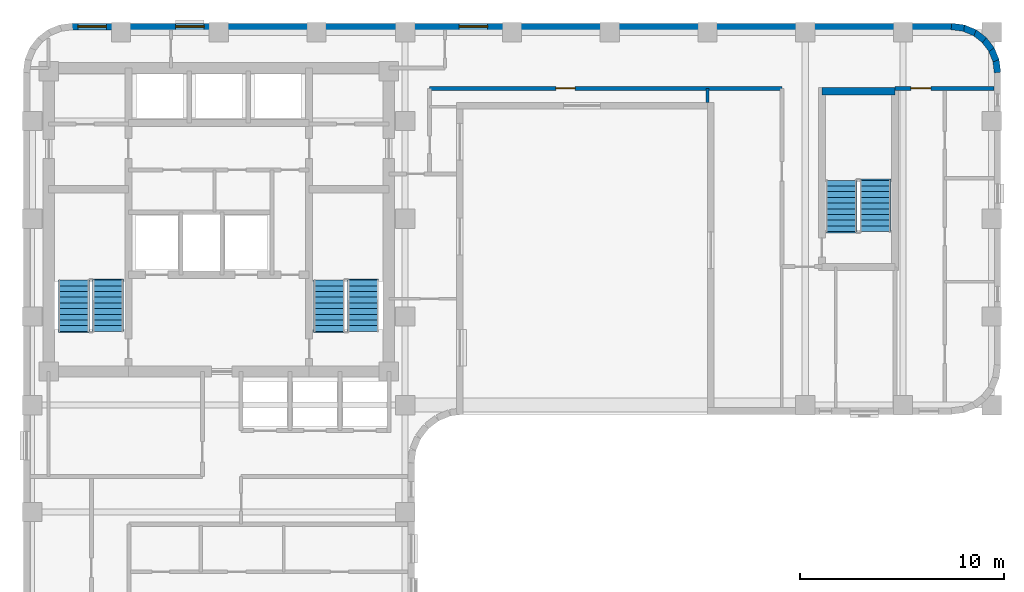
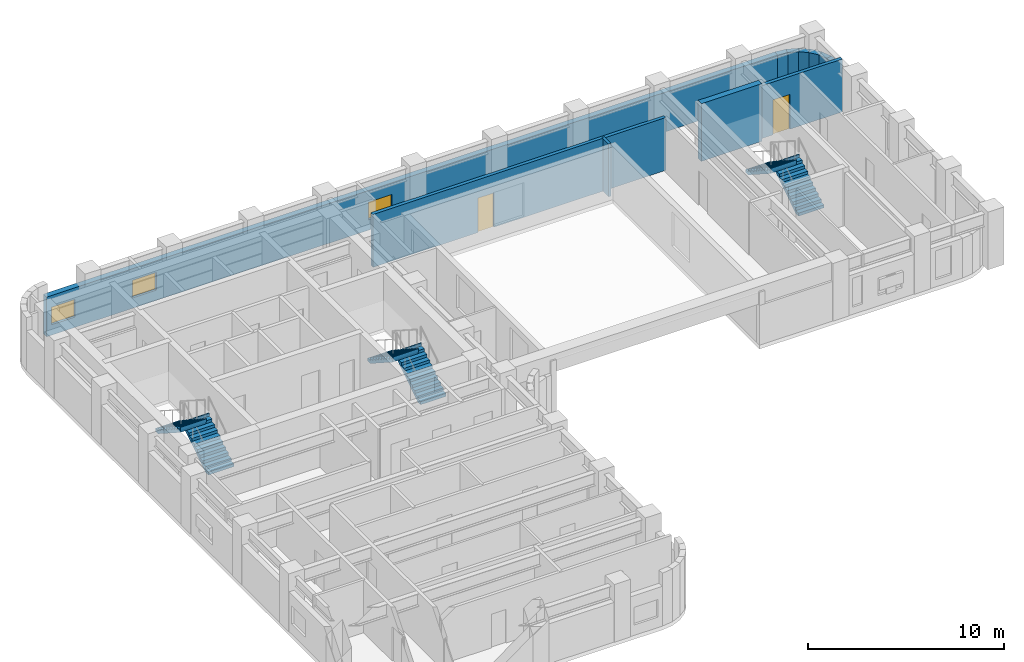
# One storey, part 6 of 9: 11 walls, 6 stair flights, 3 windows, 2 doors, 5 openings, 3 elements without a shape of their own.
"""IFC4 building model written with IfcOpenShell, lengths in metres."""

from ifc_helpers import new_model, si_unit, direction, frame, frame_2d, origin, place, context, subcontext, project, spatial, polyline, rectangle, outline, extrude, material, layer, layer_set, type_object, element, fill, aggregate, save


model = new_model("IFC4")

# Units and contexts
model_context = context("Model", 3, precision=1e-05, world=origin(), true_north=direction((0.0, 1.0)))
body_context = subcontext(model_context, "Body", "Model", "MODEL_VIEW")
ifc_project = project(units=[si_unit("LENGTHUNIT", "METRE"), si_unit("AREAUNIT", "SQUARE_METRE"), si_unit("VOLUMEUNIT", "CUBIC_METRE"), si_unit("PLANEANGLEUNIT", "RADIAN"), si_unit("MASSUNIT", "GRAM", prefix="KILO")], contexts=[model_context])

# Site, building, storey
site_placement = place(None, origin())
site = spatial("IfcSite", under=ifc_project, at=site_placement, CompositionType="ELEMENT")
building_placement = place(site_placement, origin())
building = spatial("IfcBuilding", under=site, at=building_placement, Name="Orvandelia Arch Residences", CompositionType="ELEMENT")
storey_placement = place(building_placement, frame((0.0, 0.0, 190.0)))
storey = spatial("IfcBuildingStorey", under=building, at=storey_placement, Name="L50", CompositionType="ELEMENT", Elevation=190.0)

# Wall
ifc_material_1 = material(Name="Concrete C50/60", Category="concrete")
ifc_layer_1 = layer(ifc_material_1, 0.35009765625, Name="Concrete C50/60", Category="concrete")
ifc_layer_set_1 = layer_set([ifc_layer_1], Name="Concrete C50/60")
wall_type_1 = type_object("IfcWallType", Name="WL-CORE-350", PredefinedType="SHEAR", material=ifc_layer_set_1)
wall_1_placement = place(storey_placement, frame((44.02001953125, 44.659912109375, 0.0), z_axis=(0.0, 0.0, 1.0), x_axis=(1.0, 0.0, 0.0)))
element("IfcWall", 1, at=wall_1_placement, inside=storey, type_object=wall_type_1, Name="East Stair Core Shear Wall L50-N", PredefinedType="SHEAR", context=body_context, shape_type="SweptSolid", body=[
    extrude(rectangle(XDim=3.580078125, YDim=0.35009765625, at=frame_2d((1.7900390625, 0.0))), origin(), (0.0, 0.0, 1.0), 3.60009765625),
])

# Wall, opening, door
ifc_material_2 = material(Name="Fire-Rated Corridor Partition")
ifc_layer_2 = layer(ifc_material_2, 0.199951171875, Name="Fire-Rated Corridor Partition")
ifc_layer_set_2 = layer_set([ifc_layer_2], Name="Fire-Rated Corridor Partition")
wall_type_2 = type_object("IfcWallType", Name="WL-CORR-200", PredefinedType="PARTITIONING", material=ifc_layer_set_2)
wall_2_placement = place(storey_placement, frame((24.75, 44.800048828125, 0.0), z_axis=(0.0, 0.0, 1.0), x_axis=(1.0, 0.0, 0.0)))
wall_2 = element("IfcWall", 2, at=wall_2_placement, inside=storey, type_object=wall_type_2, Name="Interior Partition Wall WL-L50-ENP-S1", PredefinedType="PARTITIONING", context=body_context, shape_type="SweptSolid", body=[
    extrude(rectangle(XDim=17.300048828125, YDim=0.199951171875, at=frame_2d((8.64990234375, 0.0))), origin(), (0.0, 0.0, 1.0), 3.300048828125),
])
opening_1_placement = place(wall_2_placement, frame((6.199951171875, 0.0, 0.0)))
opening_1 = element("IfcOpeningElement", 3, at=opening_1_placement, cuts=wall_2, Name="Opening D2", PredefinedType="OPENING", context=body_context, shape_type="SweptSolid", body=[
    extrude(rectangle(XDim=0.949951171875, YDim=2.14990234375, at=frame_2d((0.47509765625, 1.074951171875))), frame((0.0, 0.10986328125, 0.0), z_axis=(0.0, -1.0, 0.0), x_axis=(1.0, 0.0, 0.0)), (0.0, 0.0, 1.0), 0.219970703125),
])
ifc_material_3 = material(Name="Solid-Core Timber Interior Fire Door", Category="wood")
door_type_1 = type_object("IfcDoorType", Name="DR-APT-950", OperationType="NOTDEFINED", PredefinedType="DOOR", material=ifc_material_3)
door_1_placement = place(opening_1_placement, origin())
door_1 = element("IfcDoor", 4, at=door_1_placement, inside=storey, type_object=door_type_1, Name="DR-L50-VPBRG", OperationType="SINGLE_SWING_LEFT", OverallHeight=2.14990234375, OverallWidth=0.949951171875, PredefinedType="DOOR", context=body_context, shape_type="SweptSolid", body=[
    extrude(rectangle(XDim=0.949951171875, YDim=2.14990234375, at=frame_2d((0.47509765625, 1.074951171875))), frame((0.0, 0.02490234375, 0.0), z_axis=(0.0, -1.0, 0.0), x_axis=(1.0, 0.0, 0.0)), (0.0, 0.0, 1.0), 0.050048828125),
])
fill(opening_1, door_1)

wall_3_placement = place(storey_placement, frame((47.60009765625, 44.800048828125, 0.0), z_axis=(0.0, 0.0, 1.0), x_axis=(1.0, 0.0, 0.0)))
wall_3 = element("IfcWall", 5, at=wall_3_placement, inside=storey, type_object=wall_type_2, Name="Interior Partition Wall WL-L50-ENP-S2", PredefinedType="PARTITIONING", context=body_context, shape_type="SweptSolid", body=[
    extrude(rectangle(XDim=4.8798828125, YDim=0.199951171875, at=frame_2d((2.43994140625, 0.0))), origin(), (0.0, 0.0, 1.0), 3.300048828125),
])
opening_2_placement = place(wall_3_placement, frame((0.79150390625, 0.0, 0.0)))
opening_2 = element("IfcOpeningElement", 6, at=opening_2_placement, cuts=wall_3, Name="Opening D1", PredefinedType="OPENING", context=body_context, shape_type="SweptSolid", body=[
    extrude(rectangle(XDim=0.97998046875, YDim=2.179931640625, at=frame_2d((0.489990234375, 1.08984375))), frame((0.0, 0.10986328125, 0.0), z_axis=(0.0, -1.0, 0.0), x_axis=(1.0, 0.0, 0.0)), (0.0, 0.0, 1.0), 0.219970703125),
])
ifc_material_4 = material(Name="Solid-Core Timber Acoustic Fire Door", Category="wood")
door_type_2 = type_object("IfcDoorType", Name="DR-ENT-980", OperationType="NOTDEFINED", PredefinedType="DOOR", material=ifc_material_4)
door_2_placement = place(opening_2_placement, origin())
door_2 = element("IfcDoor", 7, at=door_2_placement, inside=storey, type_object=door_type_2, Name="Unit L50-03 Entrance Door", OperationType="SINGLE_SWING_LEFT", OverallHeight=2.179931640625, OverallWidth=0.97998046875, PredefinedType="DOOR", context=body_context, shape_type="SweptSolid", body=[
    extrude(rectangle(XDim=0.97998046875, YDim=2.179931640625, at=frame_2d((0.489990234375, 1.08984375))), frame((0.0, 0.02490234375, 0.0), z_axis=(0.0, -1.0, 0.0), x_axis=(1.0, 0.0, 0.0)), (0.0, 0.0, 1.0), 0.050048828125),
])
fill(opening_2, door_2)

# Wall, openings, windows
ifc_material_5 = material(Name="Precast concrete C40/50", Category="concrete")
ifc_layer_3 = layer(ifc_material_5, 0.320068359375, Name="Precast concrete C40/50", Category="concrete")
ifc_layer_set_3 = layer_set([ifc_layer_3], Name="Precast concrete C40/50")
wall_type_3 = type_object("IfcWallType", Name="WL-EXT-STONE-320", PredefinedType="STANDARD", material=ifc_layer_set_3)
wall_4_placement = place(storey_placement, frame((7.199951171875, 47.840087890625, 0.0), z_axis=(0.0, 0.0, 1.0), x_axis=(1.0, 0.0, 0.0)))
wall_4 = element("IfcWall", 8, at=wall_4_placement, inside=storey, type_object=wall_type_3, Name="Coral-Limestone Precast Facade Wall L50-007", PredefinedType="STANDARD", context=body_context, shape_type="SweptSolid", body=[
    extrude(rectangle(XDim=43.199951171875, YDim=0.320068359375, at=frame_2d((21.60009765625, 0.0))), origin(), (0.0, 0.0, 1.0), 2.47998046875),
])
opening_3_placement = place(wall_4_placement, frame((19.00244140625, 0.0, 0.64990234375)))
opening_3 = element("IfcOpeningElement", 9, at=opening_3_placement, cuts=wall_4, Name="Opening W10", PredefinedType="OPENING", context=body_context, shape_type="SweptSolid", body=[
    extrude(rectangle(XDim=1.39990234375, YDim=1.10009765625, at=frame_2d((0.699951171875, 0.550048828125))), frame((0.0, 0.169921875, 0.0), z_axis=(0.0, -1.0, 0.0), x_axis=(1.0, 0.0, 0.0)), (0.0, 0.0, 1.0), 0.340087890625),
])
opening_4_placement = place(wall_4_placement, frame((0.282470703125, 0.0, 0.64990234375)))
opening_4 = element("IfcOpeningElement", 10, at=opening_4_placement, cuts=wall_4, Name="Opening W10", PredefinedType="OPENING", context=body_context, shape_type="SweptSolid", body=[
    extrude(rectangle(XDim=1.39990234375, YDim=1.10009765625, at=frame_2d((0.699951171875, 0.550048828125))), frame((0.0, 0.169921875, 0.0), z_axis=(0.0, -1.0, 0.0), x_axis=(1.0, 0.0, 0.0)), (0.0, 0.0, 1.0), 0.340087890625),
])
opening_5_placement = place(wall_4_placement, frame((5.077392578125, 0.0, 0.64990234375)))
opening_5 = element("IfcOpeningElement", 11, at=opening_5_placement, cuts=wall_4, Name="Opening W10", PredefinedType="OPENING", context=body_context, shape_type="SweptSolid", body=[
    extrude(rectangle(XDim=1.39990234375, YDim=1.10009765625, at=frame_2d((0.699951171875, 0.550048828125))), frame((0.0, 0.169921875, 0.0), z_axis=(0.0, -1.0, 0.0), x_axis=(1.0, 0.0, 0.0)), (0.0, 0.0, 1.0), 0.340087890625),
])
ifc_material_6 = material(Name="Tempered Low-E Insulated Glazing", Category="glass")
window_type = type_object("IfcWindowType", Name="WIN-CLR-1400x1100", PartitioningType="SINGLE_PANEL", PredefinedType="WINDOW", material=ifc_material_6)
window_1_placement = place(opening_3_placement, origin())
window_1 = element("IfcWindow", 12, at=window_1_placement, inside=storey, type_object=window_type, Name="Recessed Punched Window L50-001", OverallHeight=1.10009765625, OverallWidth=1.39990234375, PartitioningType="SINGLE_PANEL", PredefinedType="WINDOW", context=body_context, shape_type="SweptSolid", body=[
    extrude(rectangle(XDim=1.39990234375, YDim=1.10009765625, at=frame_2d((0.699951171875, 0.550048828125))), frame((0.0, 0.030029296875, 0.0), z_axis=(0.0, -1.0, 0.0), x_axis=(1.0, 0.0, 0.0)), (0.0, 0.0, 1.0), 0.06005859375),
])
fill(opening_3, window_1)
window_2_placement = place(opening_4_placement, origin())
window_2 = element("IfcWindow", 13, at=window_2_placement, inside=storey, type_object=window_type, Name="Recessed Punched Window L50-002", OverallHeight=1.10009765625, OverallWidth=1.39990234375, PartitioningType="SINGLE_PANEL", PredefinedType="WINDOW", context=body_context, shape_type="SweptSolid", body=[
    extrude(rectangle(XDim=1.39990234375, YDim=1.10009765625, at=frame_2d((0.699951171875, 0.550048828125))), frame((0.0, 0.030029296875, 0.0), z_axis=(0.0, -1.0, 0.0), x_axis=(1.0, 0.0, 0.0)), (0.0, 0.0, 1.0), 0.06005859375),
])
fill(opening_4, window_2)
window_3_placement = place(opening_5_placement, origin())
window_3 = element("IfcWindow", 14, at=window_3_placement, inside=storey, type_object=window_type, Name="Recessed Punched Window L50-003", OverallHeight=1.10009765625, OverallWidth=1.39990234375, PartitioningType="SINGLE_PANEL", PredefinedType="WINDOW", context=body_context, shape_type="SweptSolid", body=[
    extrude(rectangle(XDim=1.39990234375, YDim=1.10009765625, at=frame_2d((0.699951171875, 0.550048828125))), frame((0.0, 0.030029296875, 0.0), z_axis=(0.0, -1.0, 0.0), x_axis=(1.0, 0.0, 0.0)), (0.0, 0.0, 1.0), 0.06005859375),
])
fill(opening_5, window_3)

# Walls
for number, where, z_axis, x_axis, name in (
    (15, (50.379150390625, 47.84130859375, 0.0), (0.0, 0.0, 1.0), (0.9914410257, -0.130555323746, 0.0), "Coral-Limestone Precast Facade Wall L50-008"),
    (16, (50.9599609375, 47.7705078125, 0.0), (0.0, 0.0, 1.0), (0.92389335771, -0.382650053678, 0.0), "Coral-Limestone Precast Facade Wall L50-009"),
    (17, (51.502685546875, 47.551513671875, 0.0), (0.0, 0.0, 1.0), (0.793405610854, -0.608693302629, 0.0), "Coral-Limestone Precast Facade Wall L50-010"),
    (18, (51.97021484375, 47.19970703125, 0.0), (0.0, 0.0, 1.0), (0.608693302629, -0.793405610854, 0.0), "Coral-Limestone Precast Facade Wall L50-011"),
    (19, (52.330810546875, 46.73876953125, 0.0), (0.0, 0.0, 1.0), (0.382317370307, -0.924031075431, 0.0), "Coral-Limestone Precast Facade Wall L50-012"),
    (20, (52.5595703125, 46.2001953125, 0.0), (0.0, 0.0, 1.0), (0.130555323746, -0.9914410257, 0.0), "Coral-Limestone Precast Facade Wall L50-013"),
):
    element("IfcWall", number, at=place(storey_placement, frame(where, z_axis=z_axis, x_axis=x_axis)), inside=storey, type_object=wall_type_3, Name=name, PredefinedType="STANDARD", context=body_context, shape_type="SweptSolid", body=[
        extrude(rectangle(XDim=0.62646484375, YDim=0.320068359375, at=frame_2d((0.313232421875, 0.0))), origin(), (0.0, 0.0, 1.0), 2.47998046875),
    ])
ifc_material_7 = material(Name="Acoustic Gypsum Stud Partition")
ifc_layer_4 = layer(ifc_material_7, 0.14990234375, Name="Acoustic Gypsum Stud Partition")
ifc_layer_set_4 = layer_set([ifc_layer_4], Name="Acoustic Gypsum Stud Partition")
wall_type_4 = type_object("IfcWallType", Name="WL-PART-150", PredefinedType="PARTITIONING", material=ifc_layer_set_4)
wall_5_placement = place(storey_placement, frame((38.39990234375, 44.1201171875, 0.0), z_axis=(0.0, 0.0, 1.0), x_axis=(0.0, 1.0, 0.0)))
element("IfcWall", 21, at=wall_5_placement, inside=storey, type_object=wall_type_4, Name="Interior Partition Wall WL-L50-VPBRG-E", PredefinedType="PARTITIONING", context=body_context, shape_type="SweptSolid", body=[
    extrude(rectangle(XDim=0.679931640625, YDim=0.14990234375, at=frame_2d((0.33984375, 0.0))), origin(), (0.0, 0.0, 1.0), 3.300048828125),
])

# Stair, stair flights
ifc_material_8 = material(Name="Concrete C40/50", Category="concrete")
stair_type = type_object("IfcStairType", Name="STAIR-RC-DOGLEG", PredefinedType="HALF_TURN_STAIR", material=ifc_material_8)
stair_1_placement = place(storey_placement, origin())
stair_1 = element("IfcStair", 22, at=stair_1_placement, inside=storey, type_object=stair_type, Name="L50 Protected Exit Stair ST-1", PredefinedType="HALF_TURN_STAIR")
stair_flight_type = type_object("IfcStairFlightType", Name="STFLT-RC-1520", PredefinedType="STRAIGHT", material=ifc_material_8)
stair_flight_1_placement = place(storey_placement, frame((8.9599609375, 32.8701171875, 0.0), z_axis=(0.0, 0.0, 1.0), x_axis=(0.0, 1.0, 0.0)))
stair_flight_1 = element("IfcStairFlight", 23, at=stair_flight_1_placement, type_object=stair_flight_type, Name="ST-1 flight 1", NumberOfRisers=10, NumberOfTreads=9, PredefinedType="STRAIGHT", RiserHeight=0.18, TreadLength=0.28, context=body_context, shape_type="SweptSolid", body=[
    extrude(outline(polyline([(0.0, 0.0), (0.0, 0.179931640625), (0.280029296875, 0.179931640625), (0.280029296875, 0.360107421875), (0.56005859375, 0.360107421875), (0.56005859375, 0.5400390625), (0.840087890625, 0.5400390625), (0.840087890625, 0.719970703125), (1.1201171875, 0.719970703125), (1.1201171875, 0.89990234375), (1.39990234375, 0.89990234375), (1.39990234375, 1.080078125), (1.679931640625, 1.080078125), (1.679931640625, 1.260009765625), (1.9599609375, 1.260009765625), (1.9599609375, 1.43994140625), (2.239990234375, 1.43994140625), (2.239990234375, 1.6201171875), (2.52001953125, 1.6201171875), (2.52001953125, 1.800048828125), (2.580078125, 1.800048828125), (2.580078125, 1.6201171875), (2.52001953125, 1.44189453125), (0.277099609375, 0.0), (0.0, 0.0)])), frame((0.0, 0.760009765625, 0.0), z_axis=(0.0, -1.0, 0.0), x_axis=(1.0, 0.0, 0.0)), (0.0, 0.0, 1.0), 1.52001953125),
])
stair_flight_2_placement = place(storey_placement, frame((7.2900390625, 35.389892578125, 1.800048828125), z_axis=(0.0, 0.0, 1.0), x_axis=(0.0, -1.0, 0.0)))
stair_flight_2 = element("IfcStairFlight", 24, at=stair_flight_2_placement, type_object=stair_flight_type, Name="ST-1 flight 2", NumberOfRisers=10, NumberOfTreads=9, PredefinedType="STRAIGHT", RiserHeight=0.18, TreadLength=0.28, context=body_context, shape_type="SweptSolid", body=[
    extrude(outline(polyline([(0.0, 0.0), (0.0, 0.179931640625), (0.280029296875, 0.179931640625), (0.280029296875, 0.360107421875), (0.56005859375, 0.360107421875), (0.56005859375, 0.5400390625), (0.840087890625, 0.5400390625), (0.840087890625, 0.719970703125), (1.1201171875, 0.719970703125), (1.1201171875, 0.89990234375), (1.39990234375, 0.89990234375), (1.39990234375, 1.080078125), (1.679931640625, 1.080078125), (1.679931640625, 1.260009765625), (1.9599609375, 1.260009765625), (1.9599609375, 1.43994140625), (2.239990234375, 1.43994140625), (2.239990234375, 1.6201171875), (2.52001953125, 1.6201171875), (2.52001953125, 1.800048828125), (2.580078125, 1.800048828125), (2.580078125, 1.6201171875), (2.52001953125, 1.44189453125), (0.277099609375, 0.0), (0.0, 0.0)])), frame((0.0, 0.760009765625, 0.0), z_axis=(0.0, -1.0, 0.0), x_axis=(1.0, 0.0, 0.0)), (0.0, 0.0, 1.0), 1.52001953125),
])
aggregate(stair_1, [stair_flight_1, stair_flight_2])

stair_2_placement = place(storey_placement, origin())
stair_2 = element("IfcStair", 25, at=stair_2_placement, inside=storey, type_object=stair_type, Name="L50 Protected Exit Stair ST-2", PredefinedType="HALF_TURN_STAIR")
stair_flight_3_placement = place(storey_placement, frame((21.489990234375, 32.8701171875, 0.0), z_axis=(0.0, 0.0, 1.0), x_axis=(0.0, 1.0, 0.0)))
stair_flight_3 = element("IfcStairFlight", 26, at=stair_flight_3_placement, type_object=stair_flight_type, Name="ST-2 flight 1", NumberOfRisers=10, NumberOfTreads=9, PredefinedType="STRAIGHT", RiserHeight=0.18, TreadLength=0.28, context=body_context, shape_type="SweptSolid", body=[
    extrude(outline(polyline([(0.0, 0.0), (0.0, 0.179931640625), (0.280029296875, 0.179931640625), (0.280029296875, 0.360107421875), (0.56005859375, 0.360107421875), (0.56005859375, 0.5400390625), (0.840087890625, 0.5400390625), (0.840087890625, 0.719970703125), (1.1201171875, 0.719970703125), (1.1201171875, 0.89990234375), (1.39990234375, 0.89990234375), (1.39990234375, 1.080078125), (1.679931640625, 1.080078125), (1.679931640625, 1.260009765625), (1.9599609375, 1.260009765625), (1.9599609375, 1.43994140625), (2.239990234375, 1.43994140625), (2.239990234375, 1.6201171875), (2.52001953125, 1.6201171875), (2.52001953125, 1.800048828125), (2.580078125, 1.800048828125), (2.580078125, 1.6201171875), (2.52001953125, 1.44189453125), (0.277099609375, 0.0), (0.0, 0.0)])), frame((0.0, 0.760009765625, 0.0), z_axis=(0.0, -1.0, 0.0), x_axis=(1.0, 0.0, 0.0)), (0.0, 0.0, 1.0), 1.52001953125),
])
stair_flight_4_placement = place(storey_placement, frame((19.820068359375, 35.389892578125, 1.800048828125), z_axis=(0.0, 0.0, 1.0), x_axis=(0.0, -1.0, 0.0)))
stair_flight_4 = element("IfcStairFlight", 27, at=stair_flight_4_placement, type_object=stair_flight_type, Name="ST-2 flight 2", NumberOfRisers=10, NumberOfTreads=9, PredefinedType="STRAIGHT", RiserHeight=0.18, TreadLength=0.28, context=body_context, shape_type="SweptSolid", body=[
    extrude(outline(polyline([(0.0, 0.0), (0.0, 0.179931640625), (0.280029296875, 0.179931640625), (0.280029296875, 0.360107421875), (0.56005859375, 0.360107421875), (0.56005859375, 0.5400390625), (0.840087890625, 0.5400390625), (0.840087890625, 0.719970703125), (1.1201171875, 0.719970703125), (1.1201171875, 0.89990234375), (1.39990234375, 0.89990234375), (1.39990234375, 1.080078125), (1.679931640625, 1.080078125), (1.679931640625, 1.260009765625), (1.9599609375, 1.260009765625), (1.9599609375, 1.43994140625), (2.239990234375, 1.43994140625), (2.239990234375, 1.6201171875), (2.52001953125, 1.6201171875), (2.52001953125, 1.800048828125), (2.580078125, 1.800048828125), (2.580078125, 1.6201171875), (2.52001953125, 1.44189453125), (0.277099609375, 0.0), (0.0, 0.0)])), frame((0.0, 0.760009765625, 0.0), z_axis=(0.0, -1.0, 0.0), x_axis=(1.0, 0.0, 0.0)), (0.0, 0.0, 1.0), 1.52001953125),
])
aggregate(stair_2, [stair_flight_3, stair_flight_4])

stair_3_placement = place(storey_placement, origin())
stair_3 = element("IfcStair", 28, at=stair_3_placement, inside=storey, type_object=stair_type, Name="L50 East Wing Exit Stair ST-3", PredefinedType="HALF_TURN_STAIR")
stair_flight_5_placement = place(storey_placement, frame((46.639892578125, 37.77001953125, 0.0), z_axis=(0.0, 0.0, 1.0), x_axis=(0.0, 1.0, 0.0)))
stair_flight_5 = element("IfcStairFlight", 29, at=stair_flight_5_placement, type_object=stair_flight_type, Name="ST-3 flight 1", NumberOfRisers=10, NumberOfTreads=9, PredefinedType="STRAIGHT", RiserHeight=0.18, TreadLength=0.28, context=body_context, shape_type="SweptSolid", body=[
    extrude(outline(polyline([(0.0, 0.0), (0.0, 0.179931640625), (0.280029296875, 0.179931640625), (0.280029296875, 0.360107421875), (0.56005859375, 0.360107421875), (0.56005859375, 0.5400390625), (0.840087890625, 0.5400390625), (0.840087890625, 0.719970703125), (1.1201171875, 0.719970703125), (1.1201171875, 0.89990234375), (1.39990234375, 0.89990234375), (1.39990234375, 1.080078125), (1.679931640625, 1.080078125), (1.679931640625, 1.260009765625), (1.9599609375, 1.260009765625), (1.9599609375, 1.43994140625), (2.239990234375, 1.43994140625), (2.239990234375, 1.6201171875), (2.52001953125, 1.6201171875), (2.52001953125, 1.800048828125), (2.580078125, 1.800048828125), (2.580078125, 1.6201171875), (2.52001953125, 1.44189453125), (0.277099609375, 0.0), (0.0, 0.0)])), frame((0.0, 0.760009765625, 0.0), z_axis=(0.0, -1.0, 0.0), x_axis=(1.0, 0.0, 0.0)), (0.0, 0.0, 1.0), 1.52001953125),
])
stair_flight_6_placement = place(storey_placement, frame((44.969970703125, 40.2900390625, 1.800048828125), z_axis=(0.0, 0.0, 1.0), x_axis=(0.0, -1.0, 0.0)))
stair_flight_6 = element("IfcStairFlight", 30, at=stair_flight_6_placement, type_object=stair_flight_type, Name="ST-3 flight 2", NumberOfRisers=10, NumberOfTreads=9, PredefinedType="STRAIGHT", RiserHeight=0.18, TreadLength=0.28, context=body_context, shape_type="SweptSolid", body=[
    extrude(outline(polyline([(0.0, 0.0), (0.0, 0.179931640625), (0.280029296875, 0.179931640625), (0.280029296875, 0.360107421875), (0.56005859375, 0.360107421875), (0.56005859375, 0.5400390625), (0.840087890625, 0.5400390625), (0.840087890625, 0.719970703125), (1.1201171875, 0.719970703125), (1.1201171875, 0.89990234375), (1.39990234375, 0.89990234375), (1.39990234375, 1.080078125), (1.679931640625, 1.080078125), (1.679931640625, 1.260009765625), (1.9599609375, 1.260009765625), (1.9599609375, 1.43994140625), (2.239990234375, 1.43994140625), (2.239990234375, 1.6201171875), (2.52001953125, 1.6201171875), (2.52001953125, 1.800048828125), (2.580078125, 1.800048828125), (2.580078125, 1.6201171875), (2.52001953125, 1.44189453125), (0.277099609375, 0.0), (0.0, 0.0)])), frame((0.0, 0.760009765625, 0.0), z_axis=(0.0, -1.0, 0.0), x_axis=(1.0, 0.0, 0.0)), (0.0, 0.0, 1.0), 1.52001953125),
])
aggregate(stair_3, [stair_flight_5, stair_flight_6])

save(model, "model.ifc")
